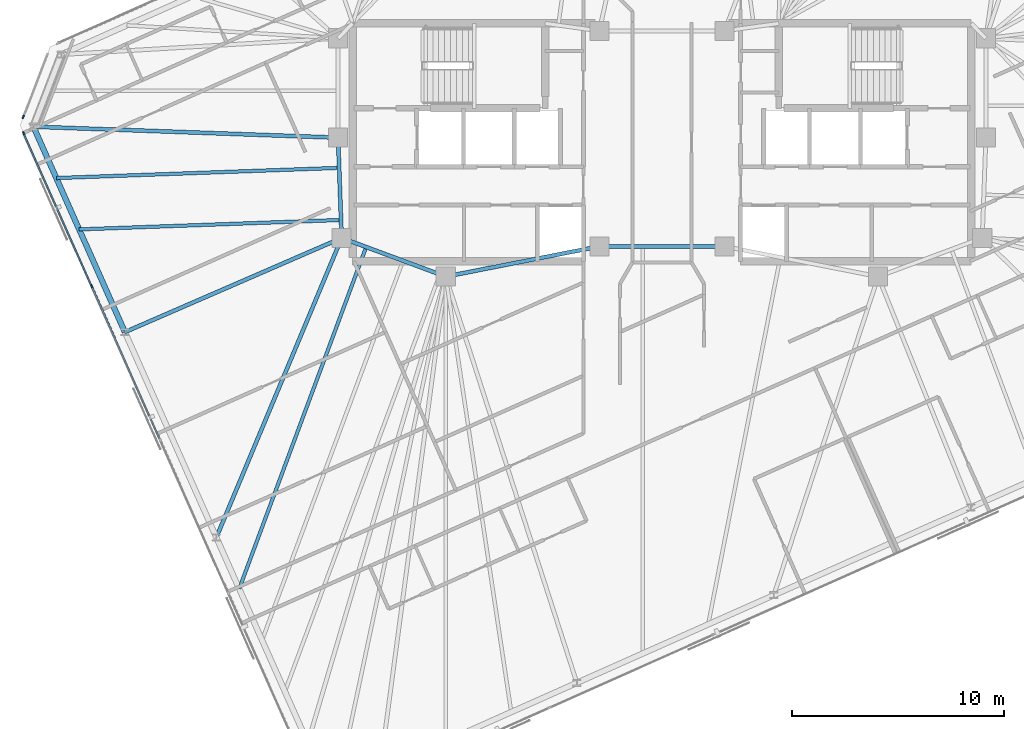
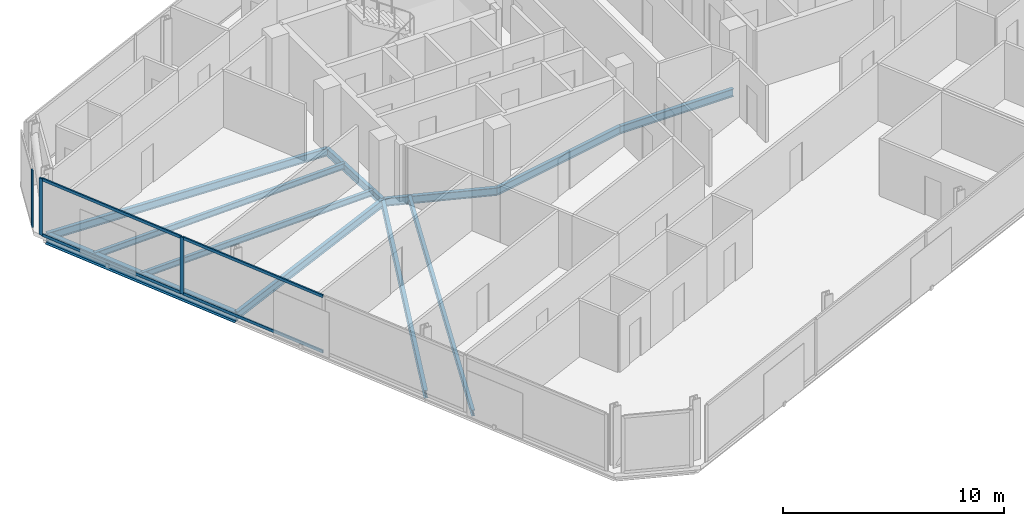
# One storey, part 6 of 19: 11 beams, 7 members, 2 elements without a shape of their own.
"""IFC4 building model written with IfcOpenShell, lengths in metres."""

from ifc_helpers import new_model, si_unit, direction, frame, origin, origin_2d, place, context, subcontext, project, spatial, rectangle, i_section, extrude, material, material_profile, profile_set, type_object, element, aggregate, save


model = new_model("IFC4")

# Units and contexts
model_context = context("Model", 3, precision=1e-05, world=origin(), true_north=direction((0.0, 1.0)))
body_context = subcontext(model_context, "Body", "Model", "MODEL_VIEW")
ifc_project = project(units=[si_unit("LENGTHUNIT", "METRE"), si_unit("AREAUNIT", "SQUARE_METRE"), si_unit("VOLUMEUNIT", "CUBIC_METRE"), si_unit("PLANEANGLEUNIT", "RADIAN"), si_unit("MASSUNIT", "GRAM", prefix="KILO")], contexts=[model_context])

# Site, building, storey
site_placement = place(None, origin())
site = spatial("IfcSite", under=ifc_project, at=site_placement, CompositionType="ELEMENT")
building_placement = place(site_placement, origin())
building = spatial("IfcBuilding", under=site, at=building_placement, Name="Menara Jurai Vektor", CompositionType="ELEMENT")
storey_placement = place(building_placement, frame((0.0, 0.0, 291.949951171875)))
storey = spatial("IfcBuildingStorey", under=building, at=storey_placement, Name="L78", CompositionType="ELEMENT", Elevation=291.949951171875)

# Curtain wall, member
ifc_material_1 = material(Name="Anodised Pale Aluminium & Low-E Double Glazing", Category="aluminium")
curtain_wall_type = type_object("IfcCurtainWallType", Name="CW-BLK5", PredefinedType="NOTDEFINED", material=ifc_material_1)
curtain_wall_1_placement = place(storey_placement, origin())
curtain_wall_1 = element("IfcCurtainWall", 1, at=curtain_wall_1_placement, inside=storey, type_object=curtain_wall_type, Name="Unitised Curtain Wall L78 F06", PredefinedType="NOTDEFINED")
ifc_material_2 = material(Name="Anodised Pale Aluminium Mullion", Category="aluminium")
ifc_material_profile_1 = material_profile(ifc_material_2, rectangle(XDim=0.074951171875, YDim=0.175048828125, at=origin_2d()), Name="ALU MUL 75x175")
ifc_profile_set_1 = profile_set([ifc_material_profile_1], Name="Anodised Pale Aluminium Mullion")
member_type_1 = type_object("IfcMemberType", Name="CW-BLK5-MUL", PredefinedType="MULLION", material=ifc_profile_set_1)
member_1_placement = place(storey_placement, frame((-30.075439453125, 1.197265625, 0.0), z_axis=(0.0, 0.0, 1.0), x_axis=(0.933578193639, -0.358373766287, 0.0)))
member_1 = element("IfcMember", 2, at=member_1_placement, type_object=member_type_1, Name="CW-05 mullion 2", PredefinedType="MULLION", context=body_context, shape_type="SweptSolid", body=[
    extrude(rectangle(XDim=0.074951171875, YDim=0.175048828125, at=origin_2d()), origin(), (0.0, 0.0, 1.0), 3.125),
])
aggregate(curtain_wall_1, [member_1])

# Curtain wall, members
curtain_wall_2_placement = place(storey_placement, origin())
curtain_wall_2 = element("IfcCurtainWall", 3, at=curtain_wall_2_placement, inside=storey, type_object=curtain_wall_type, Name="Unitised Curtain Wall L78 F07", PredefinedType="NOTDEFINED")
member_2_placement = place(storey_placement, frame((-30.055419921875, 0.426025390625, 0.0), z_axis=(0.0, 0.0, 1.0), x_axis=(0.913546127706, 0.406735138086, 0.0)))
member_2 = element("IfcMember", 4, at=member_2_placement, type_object=member_type_1, Name="CW-05 mullion 1", PredefinedType="MULLION", context=body_context, shape_type="SweptSolid", body=[
    extrude(rectangle(XDim=0.074951171875, YDim=0.175048828125, at=origin_2d()), origin(), (0.0, 0.0, 1.0), 3.125),
])
member_3_placement = place(storey_placement, frame((-26.853271484375, -6.765869140625, 0.0), z_axis=(0.0, 0.0, 1.0), x_axis=(0.913546127706, 0.406735138086, 0.0)))
member_3 = element("IfcMember", 5, at=member_3_placement, type_object=member_type_1, Name="CW-05 mullion 2", PredefinedType="MULLION", context=body_context, shape_type="SweptSolid", body=[
    extrude(rectangle(XDim=0.074951171875, YDim=0.175048828125, at=origin_2d()), origin(), (0.0, 0.0, 1.0), 3.125),
])
ifc_material_3 = material(Name="Anodised Pale Aluminium Transom", Category="aluminium")
ifc_material_profile_2 = material_profile(ifc_material_3, rectangle(XDim=0.074951171875, YDim=0.155029296875, at=origin_2d()), Name="ALU TRN 75x155")
ifc_profile_set_2 = profile_set([ifc_material_profile_2], Name="Anodised Pale Aluminium Transom")
member_type_2 = type_object("IfcMemberType", Name="CW-BLK5-TRN", PredefinedType="USERDEFINED", material=ifc_profile_set_2)
member_4_placement = place(storey_placement, frame((-30.0400390625, 0.391845703125, 0.03759765625), z_axis=(0.406713581109, -0.913555725143, 0.0), x_axis=(0.913555725143, 0.406713581109, 0.0)))
member_4 = element("IfcMember", 6, at=member_4_placement, type_object=member_type_2, Name="CW-05 transom 1.1", ObjectType="TRANSOM", PredefinedType="USERDEFINED", context=body_context, shape_type="SweptSolid", body=[
    extrude(rectangle(XDim=0.074951171875, YDim=0.155029296875, at=origin_2d()), origin(), (0.0, 0.0, 1.0), 7.797607421875),
])
member_5_placement = place(storey_placement, frame((-30.0400390625, 0.391845703125, 3.087646484375), z_axis=(0.406713581109, -0.913555725143, 0.0), x_axis=(0.913555725143, 0.406713581109, 0.0)))
member_5 = element("IfcMember", 7, at=member_5_placement, type_object=member_type_2, Name="CW-05 transom 1.2", ObjectType="TRANSOM", PredefinedType="USERDEFINED", context=body_context, shape_type="SweptSolid", body=[
    extrude(rectangle(XDim=0.074951171875, YDim=0.155029296875, at=origin_2d()), origin(), (0.0, 0.0, 1.0), 7.797607421875),
])
member_6_placement = place(storey_placement, frame((-26.838134765625, -6.800048828125, 0.03759765625), z_axis=(0.406731062496, -0.913547942256, 0.0), x_axis=(0.913547942256, 0.406731062496, 0.0)))
member_6 = element("IfcMember", 8, at=member_6_placement, type_object=member_type_2, Name="CW-05 transom 2.1", ObjectType="TRANSOM", PredefinedType="USERDEFINED", context=body_context, shape_type="SweptSolid", body=[
    extrude(rectangle(XDim=0.074951171875, YDim=0.155029296875, at=origin_2d()), origin(), (0.0, 0.0, 1.0), 7.8349609375),
])
member_7_placement = place(storey_placement, frame((-26.838134765625, -6.800048828125, 3.087646484375), z_axis=(0.406731062496, -0.913547942256, 0.0), x_axis=(0.913547942256, 0.406731062496, 0.0)))
member_7 = element("IfcMember", 9, at=member_7_placement, type_object=member_type_2, Name="CW-05 transom 2.2", ObjectType="TRANSOM", PredefinedType="USERDEFINED", context=body_context, shape_type="SweptSolid", body=[
    extrude(rectangle(XDim=0.074951171875, YDim=0.155029296875, at=origin_2d()), origin(), (0.0, 0.0, 1.0), 7.8349609375),
])
aggregate(curtain_wall_2, [member_2, member_3, member_4, member_5, member_6, member_7])

# Beams
ifc_material_4 = material(Name="Steel S355", Category="steel")
ifc_material_profile_3 = material_profile(ifc_material_4, i_section(OverallWidth=0.18505859375, OverallDepth=0.429931640625, WebThickness=0.010986328125, FlangeThickness=0.01806640625, at=origin_2d()), Name="PG 430x185x76")
ifc_profile_set_3 = profile_set([ifc_material_profile_3], Name="Steel S355")
beam_type_1 = type_object("IfcBeamType", Name="STR-BM-430", PredefinedType="BEAM", material=ifc_profile_set_3)
beam_1_placement = place(storey_placement, frame((-15.080078125, -4.5, -0.43994140625), z_axis=(-0.035977314146, 0.999352606874, 0.0), x_axis=(-0.999352606874, -0.035977314146, 0.0)))
element("IfcBeam", 10, at=beam_1_placement, inside=storey, type_object=beam_type_1, Name="Core Ring Header Girder L78-CHW-W2", PredefinedType="BEAM", context=body_context, shape_type="SweptSolid", body=[
    extrude(i_section(OverallWidth=0.18505859375, OverallDepth=0.429931640625, WebThickness=0.010986328125, FlangeThickness=0.01806640625, at=origin_2d()), origin(), (0.0, 0.0, 1.0), 4.72314453125),
])
beam_2_placement = place(storey_placement, frame((-15.080078125, -4.5, -0.43994140625), z_axis=(0.937424400887, -0.348188874925, 0.0), x_axis=(0.348188874925, 0.937424400887, 0.0)))
element("IfcBeam", 11, at=beam_2_placement, inside=storey, type_object=beam_type_1, Name="Core Ring Header Girder L78-CHW-S1", PredefinedType="BEAM", context=body_context, shape_type="SweptSolid", body=[
    extrude(i_section(OverallWidth=0.18505859375, OverallDepth=0.429931640625, WebThickness=0.010986328125, FlangeThickness=0.01806640625, at=origin_2d()), origin(), (0.0, 0.0, 1.0), 5.227294921875),
])
beam_3_placement = place(storey_placement, frame((-10.179931640625, -6.320068359375, -0.43994140625), z_axis=(0.981249044334, 0.192744164614, 0.0), x_axis=(-0.192744164614, 0.981249044334, 0.0)))
element("IfcBeam", 12, at=beam_3_placement, inside=storey, type_object=beam_type_1, Name="Core Ring Header Girder L78-CHW-S2", PredefinedType="BEAM", context=body_context, shape_type="SweptSolid", body=[
    extrude(i_section(OverallWidth=0.18505859375, OverallDepth=0.429931640625, WebThickness=0.010986328125, FlangeThickness=0.01806640625, at=origin_2d()), origin(), (0.0, 0.0, 1.0), 7.3681640625),
])
beam_4_placement = place(storey_placement, frame((-2.949951171875, -4.89990234375, -0.43994140625), z_axis=(1.0, 0.0, 0.0), x_axis=(0.0, 1.0, 0.0)))
element("IfcBeam", 13, at=beam_4_placement, inside=storey, type_object=beam_type_1, Name="Core Ring Header Girder L78-CC-1", PredefinedType="BEAM", context=body_context, shape_type="SweptSolid", body=[
    extrude(i_section(OverallWidth=0.18505859375, OverallDepth=0.429931640625, WebThickness=0.010986328125, FlangeThickness=0.01806640625, at=origin_2d()), origin(), (0.0, 0.0, 1.0), 5.89990234375),
])
beam_5_placement = place(storey_placement, frame((-29.591796875, 0.73681640625, -0.43994140625), z_axis=(0.999351273077, -0.03601434436, 0.0), x_axis=(0.03601434436, 0.999351273077, 0.0)))
element("IfcBeam", 14, at=beam_5_placement, inside=storey, type_object=beam_type_1, Name="Radial Floor Girder L78-W1", PredefinedType="BEAM", context=body_context, shape_type="SweptSolid", body=[
    extrude(i_section(OverallWidth=0.18505859375, OverallDepth=0.429931640625, WebThickness=0.010986328125, FlangeThickness=0.01806640625, at=origin_2d()), origin(), (0.0, 0.0, 1.0), 14.35107421875),
])
beam_6_placement = place(storey_placement, frame((-25.286376953125, -8.933349609375, -0.43994140625), z_axis=(0.917207084259, 0.398410798781, 0.0), x_axis=(-0.398410798781, 0.917207084259, 0.0)))
element("IfcBeam", 15, at=beam_6_placement, inside=storey, type_object=beam_type_1, Name="Radial Floor Girder L78-W2", PredefinedType="BEAM", context=body_context, shape_type="SweptSolid", body=[
    extrude(i_section(OverallWidth=0.18505859375, OverallDepth=0.429931640625, WebThickness=0.010986328125, FlangeThickness=0.01806640625, at=origin_2d()), origin(), (0.0, 0.0, 1.0), 11.127685546875),
])
beam_7_placement = place(storey_placement, frame((-20.98095703125, -18.603271484375, -0.43994140625), z_axis=(0.38598134247, 0.922506587112, 0.0), x_axis=(-0.922506587112, 0.38598134247, 0.0)))
element("IfcBeam", 16, at=beam_7_placement, inside=storey, type_object=beam_type_1, Name="Radial Floor Girder L78-W3", PredefinedType="BEAM", context=body_context, shape_type="SweptSolid", body=[
    extrude(i_section(OverallWidth=0.18505859375, OverallDepth=0.429931640625, WebThickness=0.010986328125, FlangeThickness=0.01806640625, at=origin_2d()), origin(), (0.0, 0.0, 1.0), 15.2880859375),
])
ifc_material_profile_4 = material_profile(ifc_material_4, i_section(OverallWidth=0.1650390625, OverallDepth=0.330078125, WebThickness=0.009033203125, FlangeThickness=0.013916015625, at=origin_2d()), Name="PG 330x165x46")
ifc_profile_set_4 = profile_set([ifc_material_profile_4], Name="Steel S355")
beam_type_2 = type_object("IfcBeamType", Name="STR-JS-330", PredefinedType="JOIST", material=ifc_profile_set_4)
beam_8_placement = place(storey_placement, frame((-28.515380859375, -1.6806640625, -0.389892578125), z_axis=(0.999352378837, 0.035983647851, 0.0), x_axis=(-0.035983647851, 0.999352378837, 0.0)))
element("IfcBeam", 17, at=beam_8_placement, inside=storey, type_object=beam_type_2, Name="Radial Secondary Floor Joist L78-JS26", PredefinedType="JOIST", context=body_context, shape_type="SweptSolid", body=[
    extrude(i_section(OverallWidth=0.1650390625, OverallDepth=0.330078125, WebThickness=0.009033203125, FlangeThickness=0.013916015625, at=origin_2d()), origin(), (0.0, 0.0, 1.0), 13.3251953125),
])
beam_9_placement = place(storey_placement, frame((-27.43896484375, -4.09814453125, -0.389892578125), z_axis=(0.999352552329, 0.03597882924, 0.0), x_axis=(-0.03597882924, 0.999352552329, 0.0)))
element("IfcBeam", 18, at=beam_9_placement, inside=storey, type_object=beam_type_2, Name="Radial Secondary Floor Joist L78-JS27", PredefinedType="JOIST", context=body_context, shape_type="SweptSolid", body=[
    extrude(i_section(OverallWidth=0.1650390625, OverallDepth=0.330078125, WebThickness=0.009033203125, FlangeThickness=0.013916015625, at=origin_2d()), origin(), (0.0, 0.0, 1.0), 12.33642578125),
])
beam_10_placement = place(storey_placement, frame((-19.904541015625, -21.020751953125, -0.389892578125), z_axis=(0.348190100331, 0.937423945732, 0.0), x_axis=(-0.937423945732, 0.348190100331, 0.0)))
element("IfcBeam", 19, at=beam_10_placement, inside=storey, type_object=beam_type_2, Name="Radial Secondary Floor Joist L78-JS28", PredefinedType="JOIST", context=body_context, shape_type="SweptSolid", body=[
    extrude(i_section(OverallWidth=0.1650390625, OverallDepth=0.330078125, WebThickness=0.009033203125, FlangeThickness=0.013916015625, at=origin_2d()), origin(), (0.0, 0.0, 1.0), 17.166748046875),
])
ifc_material_profile_5 = material_profile(ifc_material_4, i_section(OverallWidth=0.260009765625, OverallDepth=0.570068359375, WebThickness=0.013916015625, FlangeThickness=0.02392578125, at=origin_2d()), Name="PG 570x260x145")
ifc_profile_set_5 = profile_set([ifc_material_profile_5], Name="Steel S355")
beam_type_3 = type_object("IfcBeamType", Name="STR-SP-570", PredefinedType="SPANDREL", material=ifc_profile_set_5)
beam_11_placement = place(storey_placement, frame((-29.591796875, 0.73681640625, -0.510009765625), z_axis=(0.40673543049, -0.91354599752, 0.0), x_axis=(0.91354599752, 0.40673543049, 0.0)))
element("IfcBeam", 20, at=beam_11_placement, inside=storey, type_object=beam_type_3, Name="Exoskeleton Spandrel Beam L78-17", PredefinedType="SPANDREL", context=body_context, shape_type="SweptSolid", body=[
    extrude(i_section(OverallWidth=0.260009765625, OverallDepth=0.570068359375, WebThickness=0.013916015625, FlangeThickness=0.02392578125, at=origin_2d()), origin(), (0.0, 0.0, 1.0), 10.585205078125),
])

save(model, "model.ifc")
